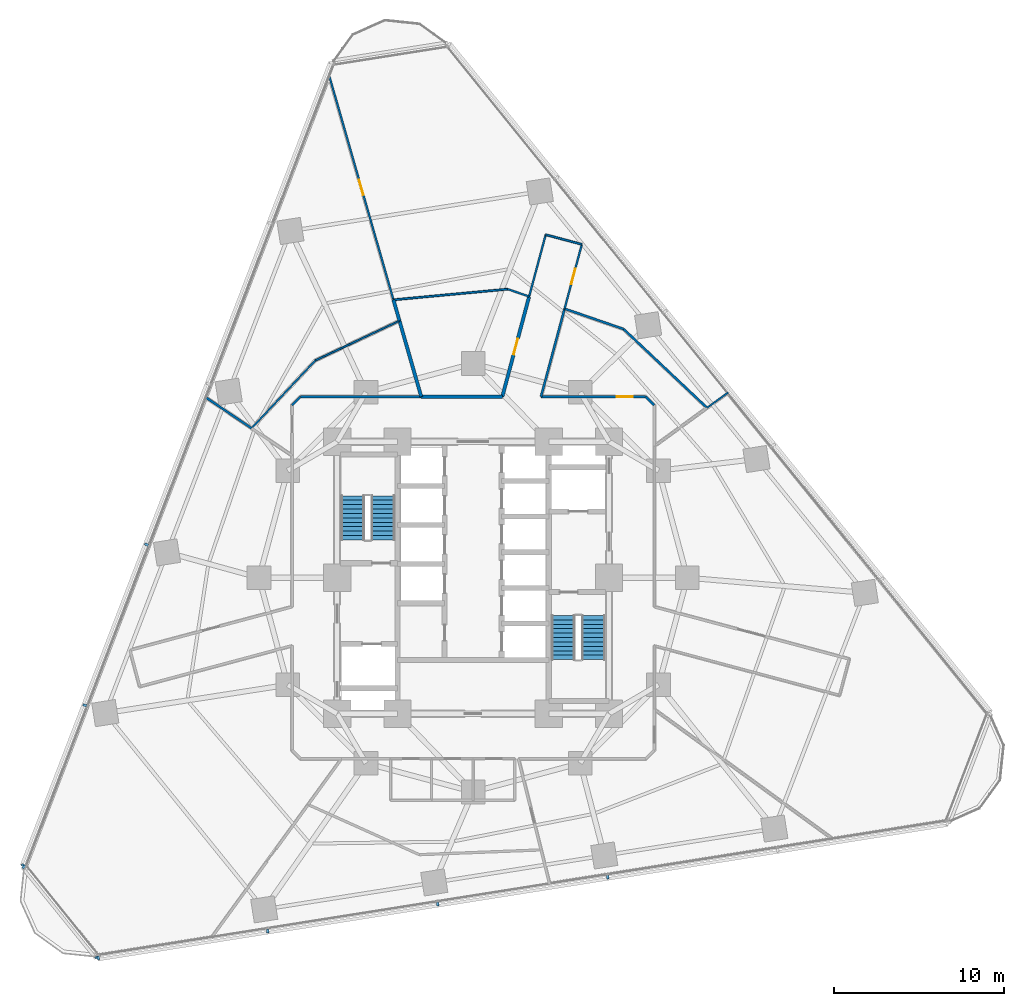
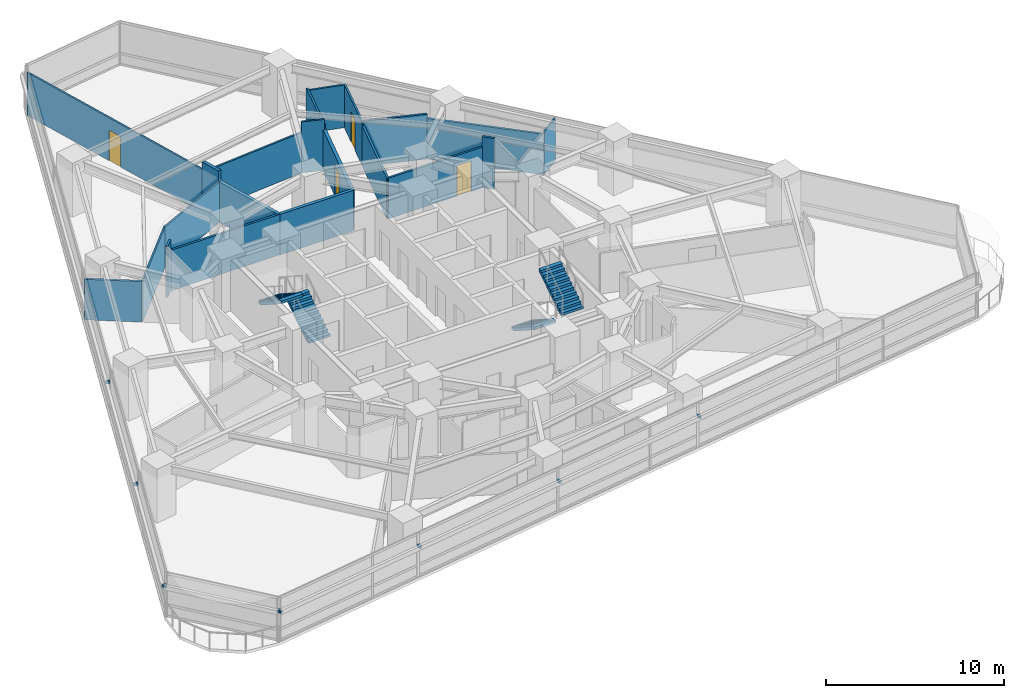
# One storey, part 9 of 13: 21 walls, 9 discrete accessories, 4 doors, 4 stair flights, 4 openings, 2 elements without a shape of their own.
"""IFC4 building model written with IfcOpenShell, lengths in metres."""

from ifc_helpers import new_model, si_unit, direction, frame, frame_2d, origin, origin_2d, place, context, subcontext, project, spatial, polyline, rectangle, outline, extrude, material, layer, layer_set, type_object, element, fill, aggregate, save


model = new_model("IFC4")

# Units and contexts
model_context = context("Model", 3, precision=1e-05, world=origin(), true_north=direction((0.0, 1.0)))
body_context = subcontext(model_context, "Body", "Model", "MODEL_VIEW")
ifc_project = project(units=[si_unit("LENGTHUNIT", "METRE"), si_unit("AREAUNIT", "SQUARE_METRE"), si_unit("VOLUMEUNIT", "CUBIC_METRE"), si_unit("PLANEANGLEUNIT", "RADIAN"), si_unit("MASSUNIT", "GRAM", prefix="KILO")], contexts=[model_context])

# Site, building, storey
site_placement = place(None, origin())
site = spatial("IfcSite", under=ifc_project, at=site_placement, CompositionType="ELEMENT")
building_placement = place(site_placement, origin())
building = spatial("IfcBuilding", under=site, at=building_placement, Name="Terralouvre Media Tower", CompositionType="ELEMENT")
storey_placement = place(building_placement, frame((0.0, 0.0, 55.60009765625)))
storey = spatial("IfcBuildingStorey", under=building, at=storey_placement, Name="L13", CompositionType="ELEMENT", Elevation=55.60009765625)

# Walls
ifc_material_1 = material(Name="Low-iron laminated double glazing with solar-control coating", Category="glass")
ifc_layer_1 = layer(ifc_material_1, 0.10009765625, Name="Demountable Glazed Office Partition PT-GL100")
ifc_layer_set_1 = layer_set([ifc_layer_1], Name="Low-iron laminated double glazing with solar-control coating")
wall_type_1 = type_object("IfcWallType", Name="Demountable Glazed Office Partition PT-GL100", PredefinedType="MOVABLE", material=ifc_layer_set_1)
wall_1_placement = place(storey_placement, frame((15.00244140625, 10.899658203125, 0.0), z_axis=(0.0, 0.0, 1.0), x_axis=(-0.809128115206, -0.587632277179, 0.0)))
element("IfcWall", 1, at=wall_1_placement, inside=storey, type_object=wall_type_1, Name="L13 Interior Partition 033", PredefinedType="MOVABLE", context=body_context, shape_type="SweptSolid", body=[
    extrude(rectangle(XDim=1.534423828125, YDim=0.10009765625, at=frame_2d((0.76708984375, 0.0))), origin(), (0.0, 0.0, 1.0), 2.934814453125),
])
wall_2_placement = place(storey_placement, frame((-13.0380859375, 8.794921875, 0.0), z_axis=(0.0, 0.0, 1.0), x_axis=(0.685214439986, 0.728341383716, 0.0)))
element("IfcWall", 2, at=wall_2_placement, inside=storey, type_object=wall_type_1, Name="L13 Interior Partition 057", PredefinedType="MOVABLE", context=body_context, shape_type="SweptSolid", body=[
    extrude(rectangle(XDim=5.47412109375, YDim=0.10009765625, at=frame_2d((2.737060546875, 0.0))), origin(), (0.0, 0.0, 1.0), 2.784912109375),
])
wall_3_placement = place(storey_placement, frame((-9.287109375, 12.781982421875, 0.0), z_axis=(0.0, 0.0, 1.0), x_axis=(0.904430294069, 0.4266214284, 0.0)))
element("IfcWall", 3, at=wall_3_placement, inside=storey, type_object=wall_type_1, Name="L13 Interior Partition 058", PredefinedType="MOVABLE", context=body_context, shape_type="SweptSolid", body=[
    extrude(rectangle(XDim=5.475341796875, YDim=0.10009765625, at=frame_2d((2.73779296875, 0.0))), origin(), (0.0, 0.0, 1.0), 2.784912109375),
])

# Wall, opening, door
ifc_material_2 = material(Name="Fire-rated gypsum board drywall partition")
ifc_layer_2 = layer(ifc_material_2, 0.199951171875, Name="Fire-Rated Shaft and Lobby Partition FW-200")
ifc_layer_set_2 = layer_set([ifc_layer_2], Name="Fire-rated gypsum board drywall partition")
wall_type_2 = type_object("IfcWallType", Name="Fire-Rated Shaft and Lobby Partition FW-200", PredefinedType="SOLIDWALL", material=ifc_layer_set_2)
wall_4_placement = place(storey_placement, frame((3.2939453125, 16.544921875, 0.0), z_axis=(0.0, 0.0, 1.0), x_axis=(-0.258710756328, -0.965954835673, 0.0)))
wall_4 = element("IfcWall", 4, at=wall_4_placement, inside=storey, type_object=wall_type_2, Name="L13 Interior Partition 020", PredefinedType="SOLIDWALL", context=body_context, shape_type="SweptSolid", body=[
    extrude(rectangle(XDim=6.102783203125, YDim=0.199951171875, at=frame_2d((3.05126953125, 0.0))), origin(), (0.0, 0.0, 1.0), 2.784912109375),
])
opening_1_placement = place(wall_4_placement, frame((2.576416015625, 0.0, 0.0)))
opening_1 = element("IfcOpeningElement", 5, at=opening_1_placement, cuts=wall_4, Name="Opening FD-02-95X210", PredefinedType="OPENING", context=body_context, shape_type="SweptSolid", body=[
    extrude(rectangle(XDim=0.949951171875, YDim=2.10009765625, at=frame_2d((0.47509765625, 1.050048828125))), frame((0.0, 0.10986328125, 0.0), z_axis=(0.0, -1.0, 0.0), x_axis=(1.0, 0.0, 0.0)), (0.0, 0.0, 1.0), 0.219970703125),
])
ifc_material_3 = material(Name="Galvanised steel fire-resisting leaf", Category="steel")
door_type_1 = type_object("IfcDoorType", Name="Plant and Riser Fire Door FD-02 (950x2100)", OperationType="NOTDEFINED", PredefinedType="DOOR", material=ifc_material_3)
door_1_placement = place(opening_1_placement, origin())
door_1 = element("IfcDoor", 6, at=door_1_placement, inside=storey, type_object=door_type_1, Name="L13 Render Cluster Server Room 5 Door", OperationType="SINGLE_SWING_RIGHT", OverallHeight=2.10009765625, OverallWidth=0.949951171875, PredefinedType="DOOR", context=body_context, shape_type="SweptSolid", body=[
    extrude(rectangle(XDim=0.949951171875, YDim=2.10009765625, at=frame_2d((0.47509765625, 1.050048828125))), frame((0.0, 0.02490234375, 0.0), z_axis=(0.0, -1.0, 0.0), x_axis=(1.0, 0.0, 0.0)), (0.0, 0.0, 1.0), 0.050048828125),
])
fill(opening_1, door_1)

# Walls
wall_5_placement = place(storey_placement, frame((1.715087890625, 10.64990234375, 0.0), z_axis=(0.0, 0.0, 1.0), x_axis=(-1.0, 0.0, 0.0)))
element("IfcWall", 7, at=wall_5_placement, inside=storey, type_object=wall_type_2, Name="L13 Interior Partition 021", PredefinedType="SOLIDWALL", context=body_context, shape_type="SweptSolid", body=[
    extrude(rectangle(XDim=4.76904296875, YDim=0.199951171875, at=frame_2d((2.384521484375, 0.0))), origin(), (0.0, 0.0, 1.0), 2.784912109375),
])
wall_6_placement = place(storey_placement, frame((-4.68896484375, 16.35107421875, 0.0), z_axis=(0.0, 0.0, 1.0), x_axis=(0.275927308223, -0.961178506094, 0.0)))
element("IfcWall", 8, at=wall_6_placement, inside=storey, type_object=wall_type_2, Name="L13 Interior Partition 044", PredefinedType="SOLIDWALL", context=body_context, shape_type="SweptSolid", body=[
    extrude(rectangle(XDim=1.282958984375, YDim=0.199951171875, at=frame_2d((0.6416015625, 0.0))), origin(), (0.0, 0.0, 1.0), 3.5),
])
wall_7_placement = place(storey_placement, frame((-4.3349609375, 15.117919921875, 0.0), z_axis=(0.0, 0.0, 1.0), x_axis=(0.275602055924, -0.961271817318, 0.0)))
element("IfcWall", 9, at=wall_7_placement, inside=storey, type_object=wall_type_2, Name="L13 Interior Partition 045", PredefinedType="SOLIDWALL", context=body_context, shape_type="SweptSolid", body=[
    extrude(rectangle(XDim=4.64794921875, YDim=0.199951171875, at=frame_2d((2.323974609375, 0.0))), origin(), (0.0, 0.0, 1.0), 2.784912109375),
])
ifc_material_4 = material(Name="Fire-rated gypsum board drywall partition")
ifc_layer_3 = layer(ifc_material_4, 0.135009765625, Name="Newsroom Acoustic Partition PT-135")
ifc_layer_set_3 = layer_set([ifc_layer_3], Name="Fire-rated gypsum board drywall partition")
wall_type_3 = type_object("IfcWallType", Name="Newsroom Acoustic Partition PT-135", PredefinedType="PARTITIONING", material=ifc_layer_set_3)
wall_8_placement = place(storey_placement, frame((10.64990234375, 10.14990234375, 0.0), z_axis=(0.0, 0.0, 1.0), x_axis=(-0.707106781187, 0.707106781187, 0.0)))
element("IfcWall", 10, at=wall_8_placement, inside=storey, type_object=wall_type_3, Name="L13 Interior Partition 014", PredefinedType="PARTITIONING", context=body_context, shape_type="SweptSolid", body=[
    extrude(rectangle(XDim=0.70703125, YDim=0.135009765625, at=frame_2d((0.353515625, 0.0))), origin(), (0.0, 0.0, 1.0), 3.5),
])

# Wall, opening, door
wall_9_placement = place(storey_placement, frame((10.14990234375, 10.64990234375, 0.0), z_axis=(0.0, 0.0, 1.0), x_axis=(-1.0, 0.0, 0.0)))
wall_9 = element("IfcWall", 11, at=wall_9_placement, inside=storey, type_object=wall_type_3, Name="L13 Interior Partition 015", PredefinedType="PARTITIONING", context=body_context, shape_type="SweptSolid", body=[
    extrude(rectangle(XDim=6.157958984375, YDim=0.135009765625, at=frame_2d((3.0791015625, 0.0))), origin(), (0.0, 0.0, 1.0), 2.784912109375),
])
opening_2_placement = place(wall_9_placement, frame((0.756591796875, 0.0, 0.0)))
opening_2 = element("IfcOpeningElement", 12, at=opening_2_placement, cuts=wall_9, Name="Opening ID-02-95X210", PredefinedType="OPENING", context=body_context, shape_type="SweptSolid", body=[
    extrude(rectangle(XDim=0.949951171875, YDim=2.10009765625, at=frame_2d((0.47509765625, 1.050048828125))), frame((0.0, 0.077392578125, 0.0), z_axis=(0.0, -1.0, 0.0), x_axis=(1.0, 0.0, 0.0)), (0.0, 0.0, 1.0), 0.155029296875),
])
ifc_material_5 = material(Name="Engineered hardwood acoustic timber leaf", Category="wood")
door_type_2 = type_object("IfcDoorType", Name="Office and Meeting Room Door ID-02 (950x2100)", OperationType="NOTDEFINED", PredefinedType="DOOR", material=ifc_material_5)
door_2_placement = place(opening_2_placement, origin())
door_2 = element("IfcDoor", 13, at=door_2_placement, inside=storey, type_object=door_type_2, Name="L13 Staff Quiet Reading Club 3 Door", OperationType="SINGLE_SWING_RIGHT", OverallHeight=2.10009765625, OverallWidth=0.949951171875, PredefinedType="DOOR", context=body_context, shape_type="SweptSolid", body=[
    extrude(rectangle(XDim=0.949951171875, YDim=2.10009765625, at=frame_2d((0.47509765625, 1.050048828125))), frame((0.0, 0.02490234375, 0.0), z_axis=(0.0, -1.0, 0.0), x_axis=(1.0, 0.0, 0.0)), (0.0, 0.0, 1.0), 0.050048828125),
])
fill(opening_2, door_2)

# Walls
wall_10_placement = place(storey_placement, frame((3.991943359375, 10.64990234375, 0.0), z_axis=(0.0, 0.0, 1.0), x_axis=(0.258952377387, 0.965890090148, 0.0)))
element("IfcWall", 14, at=wall_10_placement, inside=storey, type_object=wall_type_3, Name="L13 Interior Partition 016", PredefinedType="PARTITIONING", context=body_context, shape_type="SweptSolid", body=[
    extrude(rectangle(XDim=5.35986328125, YDim=0.135009765625, at=frame_2d((2.679931640625, 0.0))), origin(), (0.0, 0.0, 1.0), 2.784912109375),
])
wall_11_placement = place(storey_placement, frame((-3.053955078125, 10.64990234375, 0.0), z_axis=(0.0, 0.0, 1.0), x_axis=(-1.0, 0.0, 0.0)))
element("IfcWall", 15, at=wall_11_placement, inside=storey, type_object=wall_type_3, Name="L13 Interior Partition 029", PredefinedType="PARTITIONING", context=body_context, shape_type="SweptSolid", body=[
    extrude(rectangle(XDim=7.095947265625, YDim=0.135009765625, at=frame_2d((3.5478515625, 0.0))), origin(), (0.0, 0.0, 1.0), 2.784912109375),
])
wall_12_placement = place(storey_placement, frame((-10.14990234375, 10.64990234375, 0.0), z_axis=(0.0, 0.0, 1.0), x_axis=(-0.707106781187, -0.707106781187, 0.0)))
element("IfcWall", 16, at=wall_12_placement, inside=storey, type_object=wall_type_3, Name="L13 Interior Partition 030", PredefinedType="PARTITIONING", context=body_context, shape_type="SweptSolid", body=[
    extrude(rectangle(XDim=0.70703125, YDim=0.135009765625, at=frame_2d((0.353515625, 0.0))), origin(), (0.0, 0.0, 1.0), 3.5),
])
wall_13_placement = place(storey_placement, frame((-13.0380859375, 8.794921875, 0.0), z_axis=(0.0, 0.0, 1.0), x_axis=(-0.829071326064, 0.559142858578, 0.0)))
element("IfcWall", 17, at=wall_13_placement, inside=storey, type_object=wall_type_3, Name="L13 Interior Partition 037", PredefinedType="PARTITIONING", context=body_context, shape_type="SweptSolid", body=[
    extrude(rectangle(XDim=3.278564453125, YDim=0.135009765625, at=frame_2d((1.63916015625, 0.0))), origin(), (0.0, 0.0, 1.0), 2.784912109375),
])
wall_14_placement = place(storey_placement, frame((13.760986328125, 9.998046875, 0.0), z_axis=(0.0, 0.0, 1.0), x_axis=(-0.727310898058, 0.68630813602, 0.0)))
element("IfcWall", 18, at=wall_14_placement, inside=storey, type_object=wall_type_3, Name="L13 Interior Partition 039", PredefinedType="PARTITIONING", context=body_context, shape_type="SweptSolid", body=[
    extrude(rectangle(XDim=6.752197265625, YDim=0.135009765625, at=frame_2d((3.3759765625, 0.0))), origin(), (0.0, 0.0, 1.0), 2.784912109375),
])
wall_15_placement = place(storey_placement, frame((8.85009765625, 14.632080078125, 0.0), z_axis=(0.0, 0.0, 1.0), x_axis=(-0.945524159467, 0.325551937275, 0.0)))
element("IfcWall", 19, at=wall_15_placement, inside=storey, type_object=wall_type_3, Name="L13 Interior Partition 040", PredefinedType="PARTITIONING", context=body_context, shape_type="SweptSolid", body=[
    extrude(rectangle(XDim=3.670166015625, YDim=0.135009765625, at=frame_2d((1.8349609375, 0.0))), origin(), (0.0, 0.0, 1.0), 3.0849609375),
])

# Wall, opening, door
ifc_material_6 = material(Name="Fire-rated gypsum board drywall partition")
ifc_layer_4 = layer(ifc_material_6, 0.114990234375, Name="Restroom and Pantry Partition PT-115")
ifc_layer_set_4 = layer_set([ifc_layer_4], Name="Fire-rated gypsum board drywall partition")
wall_type_4 = type_object("IfcWallType", Name="Restroom and Pantry Partition PT-115", PredefinedType="PARTITIONING", material=ifc_layer_set_4)
wall_16_placement = place(storey_placement, frame((5.3798828125, 15.826904296875, 0.0), z_axis=(0.0, 0.0, 1.0), x_axis=(0.258740236453, 0.965946939557, 0.0)))
wall_16 = element("IfcWall", 20, at=wall_16_placement, inside=storey, type_object=wall_type_4, Name="L13 Interior Partition 017", PredefinedType="PARTITIONING", context=body_context, shape_type="SweptSolid", body=[
    extrude(rectangle(XDim=3.919677734375, YDim=0.114990234375, at=frame_2d((1.9599609375, 0.0))), origin(), (0.0, 0.0, 1.0), 2.934814453125),
])
opening_3_placement = place(wall_16_placement, frame((1.484619140625, 0.0, 0.0)))
opening_3 = element("IfcOpeningElement", 21, at=opening_3_placement, cuts=wall_16, Name="Opening SD-01-95X210", PredefinedType="OPENING", context=body_context, shape_type="SweptSolid", body=[
    extrude(rectangle(XDim=0.949951171875, YDim=2.10009765625, at=frame_2d((0.47509765625, 1.050048828125))), frame((0.0, 0.0673828125, 0.0), z_axis=(0.0, -1.0, 0.0), x_axis=(1.0, 0.0, 0.0)), (0.0, 0.0, 1.0), 0.135009765625),
])
ifc_material_7 = material(Name="Anodised extruded aluminium 6063-T6", Category="aluminium")
door_type_3 = type_object("IfcDoorType", Name="Pantry Pocket Sliding Door SD-01 (950x2100)", OperationType="SLIDING_TO_LEFT", PredefinedType="DOOR", material=ifc_material_7)
door_3_placement = place(opening_3_placement, origin())
door_3 = element("IfcDoor", 22, at=door_3_placement, inside=storey, type_object=door_type_3, Name="L13 Barista Coffee Tea Pantry 4 Door", OperationType="SLIDING_TO_LEFT", OverallHeight=2.10009765625, OverallWidth=0.949951171875, PredefinedType="DOOR", context=body_context, shape_type="SweptSolid", body=[
    extrude(rectangle(XDim=0.949951171875, YDim=2.10009765625, at=frame_2d((0.47509765625, 1.050048828125))), frame((0.0, 0.02490234375, 0.0), z_axis=(0.0, -1.0, 0.0), x_axis=(1.0, 0.0, 0.0)), (0.0, 0.0, 1.0), 0.050048828125),
])
fill(opening_3, door_3)

# Walls
wall_17_placement = place(storey_placement, frame((6.39404296875, 19.613037109375, 0.0), z_axis=(0.0, 0.0, 1.0), x_axis=(-0.965848933329, 0.259105843213, 0.0)))
element("IfcWall", 23, at=wall_17_placement, inside=storey, type_object=wall_type_4, Name="L13 Interior Partition 018", PredefinedType="PARTITIONING", context=body_context, shape_type="SweptSolid", body=[
    extrude(rectangle(XDim=2.2001953125, YDim=0.114990234375, at=frame_2d((1.10009765625, 0.0))), origin(), (0.0, 0.0, 1.0), 2.934814453125),
])
wall_18_placement = place(storey_placement, frame((4.26904296875, 20.18310546875, 0.0), z_axis=(0.0, 0.0, 1.0), x_axis=(-0.258880798168, -0.965909277489, 0.0)))
element("IfcWall", 24, at=wall_18_placement, inside=storey, type_object=wall_type_4, Name="L13 Interior Partition 019", PredefinedType="PARTITIONING", context=body_context, shape_type="SweptSolid", body=[
    extrude(rectangle(XDim=3.7666015625, YDim=0.114990234375, at=frame_2d((1.88330078125, 0.0))), origin(), (0.0, 0.0, 1.0), 3.0849609375),
])
wall_19_placement = place(storey_placement, frame((-4.68896484375, 16.35107421875, 0.0), z_axis=(0.0, 0.0, 1.0), x_axis=(0.995667654368, 0.092983450384, 0.0)))
element("IfcWall", 25, at=wall_19_placement, inside=storey, type_object=wall_type_4, Name="L13 Interior Partition 041", PredefinedType="PARTITIONING", context=body_context, shape_type="SweptSolid", body=[
    extrude(rectangle(XDim=6.753173828125, YDim=0.114990234375, at=frame_2d((3.37646484375, 0.0))), origin(), (0.0, 0.0, 1.0), 2.784912109375),
])
wall_20_placement = place(storey_placement, frame((2.034912109375, 16.97900390625, 0.0), z_axis=(0.0, 0.0, 1.0), x_axis=(0.945388565789, -0.325945485742, 0.0)))
element("IfcWall", 26, at=wall_20_placement, inside=storey, type_object=wall_type_4, Name="L13 Interior Partition 042", PredefinedType="PARTITIONING", context=body_context, shape_type="SweptSolid", body=[
    extrude(rectangle(XDim=1.331787109375, YDim=0.114990234375, at=frame_2d((0.666015625, 0.0))), origin(), (0.0, 0.0, 1.0), 3.5),
])

# Wall, opening, door
wall_21_placement = place(storey_placement, frame((-8.4814453125, 29.57958984375, 0.0), z_axis=(0.0, 0.0, 1.0), x_axis=(0.275587979828, -0.961275852903, 0.0)))
wall_21 = element("IfcWall", 27, at=wall_21_placement, inside=storey, type_object=wall_type_4, Name="L13 Interior Partition 043", PredefinedType="PARTITIONING", context=body_context, shape_type="SweptSolid", body=[
    extrude(rectangle(XDim=13.761474609375, YDim=0.114990234375, at=frame_2d((6.880859375, 0.0))), origin(), (0.0, 0.0, 1.0), 2.934814453125),
])
opening_4_placement = place(wall_21_placement, frame((6.420654296875, 0.0, 0.0)))
opening_4 = element("IfcOpeningElement", 28, at=opening_4_placement, cuts=wall_21, Name="Opening ID-03-92X210", PredefinedType="OPENING", context=body_context, shape_type="SweptSolid", body=[
    extrude(rectangle(XDim=0.919921875, YDim=2.10009765625, at=frame_2d((0.4599609375, 1.050048828125))), frame((0.0, 0.0673828125, 0.0), z_axis=(0.0, -1.0, 0.0), x_axis=(1.0, 0.0, 0.0)), (0.0, 0.0, 1.0), 0.135009765625),
])
ifc_material_8 = material(Name="Engineered hardwood acoustic timber leaf", Category="wood")
door_type_4 = type_object("IfcDoorType", Name="Accessible Restroom and Suite Door ID-03 (920x2100)", OperationType="NOTDEFINED", PredefinedType="DOOR", material=ifc_material_8)
door_4_placement = place(opening_4_placement, origin())
door_4 = element("IfcDoor", 29, at=door_4_placement, inside=storey, type_object=door_type_4, Name="L13 Product Roadmap Huddle Room 9 Door", OperationType="SINGLE_SWING_RIGHT", OverallHeight=2.10009765625, OverallWidth=0.919921875, PredefinedType="DOOR", context=body_context, shape_type="SweptSolid", body=[
    extrude(rectangle(XDim=0.919921875, YDim=2.10009765625, at=frame_2d((0.4599609375, 1.050048828125))), frame((0.0, 0.02490234375, 0.0), z_axis=(0.0, -1.0, 0.0), x_axis=(1.0, 0.0, 0.0)), (0.0, 0.0, 1.0), 0.050048828125),
])
fill(opening_4, door_4)

# Stair, stair flights
ifc_material_9 = material(Name="Concrete C45/55", Category="concrete")
stair_type_1 = type_object("IfcStairType", Name="Dogleg Stair Assembly ST-01", PredefinedType="HALF_TURN_STAIR", material=ifc_material_9)
stair_1_placement = place(storey_placement, origin())
stair_1 = element("IfcStair", 30, at=stair_1_placement, inside=storey, type_object=stair_type_1, Name="L13 Core Pressurised Exit Stair ST-01", PredefinedType="HALF_TURN_STAIR")
ifc_material_10 = material(Name="Concrete C45/55", Category="concrete")
stair_flight_type = type_object("IfcStairFlightType", Name="Reinforced Concrete Stair Flight SF-RC1", PredefinedType="STRAIGHT", material=ifc_material_10)
stair_flight_1_placement = place(storey_placement, frame((-5.300048828125, 2.219970703125, 0.0), z_axis=(0.0, 0.0, 1.0), x_axis=(0.0, 1.0, 0.0)))
stair_flight_1 = element("IfcStairFlight", 31, at=stair_flight_1_placement, type_object=stair_flight_type, Name="ST-01 flight 1", NumberOfRisers=11, NumberOfTreads=10, PredefinedType="STRAIGHT", RiserHeight=0.168181818, TreadLength=0.26, context=body_context, shape_type="SweptSolid", body=[
    extrude(outline(polyline([(0.0, 0.0), (0.0, 0.168212890625), (0.260009765625, 0.168212890625), (0.260009765625, 0.33642578125), (0.52001953125, 0.33642578125), (0.52001953125, 0.504638671875), (0.780029296875, 0.504638671875), (0.780029296875, 0.672607421875), (1.0400390625, 0.672607421875), (1.0400390625, 0.8408203125), (1.300048828125, 0.8408203125), (1.300048828125, 1.009033203125), (1.56005859375, 1.009033203125), (1.56005859375, 1.17724609375), (1.820068359375, 1.17724609375), (1.820068359375, 1.345458984375), (2.080078125, 1.345458984375), (2.080078125, 1.513671875), (2.340087890625, 1.513671875), (2.340087890625, 1.681884765625), (2.60009765625, 1.681884765625), (2.60009765625, 1.85009765625), (2.60009765625, 1.503173828125), (0.27587890625, 0.0), (0.0, 0.0)])), frame((0.0, 0.699951171875, 0.0), z_axis=(0.0, -1.0, 0.0), x_axis=(1.0, 0.0, 0.0)), (0.0, 0.0, 1.0), 1.39990234375),
])
stair_flight_2_placement = place(storey_placement, frame((-7.080078125, 4.820068359375, 1.849853515625), z_axis=(0.0, 0.0, 1.0), x_axis=(0.0, -1.0, 0.0)))
stair_flight_2 = element("IfcStairFlight", 32, at=stair_flight_2_placement, type_object=stair_flight_type, Name="ST-01 flight 2", NumberOfRisers=11, NumberOfTreads=10, PredefinedType="STRAIGHT", RiserHeight=0.168181818, TreadLength=0.26, context=body_context, shape_type="SweptSolid", body=[
    extrude(outline(polyline([(0.0, 0.0), (0.0, 0.168212890625), (0.260009765625, 0.168212890625), (0.260009765625, 0.33642578125), (0.52001953125, 0.33642578125), (0.52001953125, 0.504638671875), (0.780029296875, 0.504638671875), (0.780029296875, 0.672607421875), (1.0400390625, 0.672607421875), (1.0400390625, 0.8408203125), (1.300048828125, 0.8408203125), (1.300048828125, 1.009033203125), (1.56005859375, 1.009033203125), (1.56005859375, 1.17724609375), (1.820068359375, 1.17724609375), (1.820068359375, 1.345458984375), (2.080078125, 1.345458984375), (2.080078125, 1.513671875), (2.340087890625, 1.513671875), (2.340087890625, 1.681884765625), (2.60009765625, 1.681884765625), (2.60009765625, 1.85009765625), (2.60009765625, 1.503173828125), (0.27587890625, 0.0), (0.0, 0.0)])), frame((0.0, 0.699951171875, 0.0), z_axis=(0.0, -1.0, 0.0), x_axis=(1.0, 0.0, 0.0)), (0.0, 0.0, 1.0), 1.39990234375),
])
aggregate(stair_1, [stair_flight_1, stair_flight_2])

ifc_material_11 = material(Name="Concrete C45/55", Category="concrete")
stair_type_2 = type_object("IfcStairType", Name="Dogleg Stair Assembly ST-02", PredefinedType="HALF_TURN_STAIR", material=ifc_material_11)
stair_2_placement = place(storey_placement, origin())
stair_2 = element("IfcStair", 33, at=stair_2_placement, inside=storey, type_object=stair_type_2, Name="L13 Core Pressurised Exit Stair ST-02", PredefinedType="HALF_TURN_STAIR")
stair_flight_3_placement = place(storey_placement, frame((5.300048828125, -2.219970703125, 0.0), z_axis=(0.0, 0.0, 1.0), x_axis=(0.0, -1.0, 0.0)))
stair_flight_3 = element("IfcStairFlight", 34, at=stair_flight_3_placement, type_object=stair_flight_type, Name="ST-02 flight 1", NumberOfRisers=11, NumberOfTreads=10, PredefinedType="STRAIGHT", RiserHeight=0.168181818, TreadLength=0.26, context=body_context, shape_type="SweptSolid", body=[
    extrude(outline(polyline([(0.0, 0.0), (0.0, 0.168212890625), (0.260009765625, 0.168212890625), (0.260009765625, 0.33642578125), (0.52001953125, 0.33642578125), (0.52001953125, 0.504638671875), (0.780029296875, 0.504638671875), (0.780029296875, 0.672607421875), (1.0400390625, 0.672607421875), (1.0400390625, 0.8408203125), (1.300048828125, 0.8408203125), (1.300048828125, 1.009033203125), (1.56005859375, 1.009033203125), (1.56005859375, 1.17724609375), (1.820068359375, 1.17724609375), (1.820068359375, 1.345458984375), (2.080078125, 1.345458984375), (2.080078125, 1.513671875), (2.340087890625, 1.513671875), (2.340087890625, 1.681884765625), (2.60009765625, 1.681884765625), (2.60009765625, 1.85009765625), (2.60009765625, 1.503173828125), (0.27587890625, 0.0), (0.0, 0.0)])), frame((0.0, 0.699951171875, 0.0), z_axis=(0.0, -1.0, 0.0), x_axis=(1.0, 0.0, 0.0)), (0.0, 0.0, 1.0), 1.39990234375),
])
stair_flight_4_placement = place(storey_placement, frame((7.080078125, -4.820068359375, 1.849853515625), z_axis=(0.0, 0.0, 1.0), x_axis=(0.0, 1.0, 0.0)))
stair_flight_4 = element("IfcStairFlight", 35, at=stair_flight_4_placement, type_object=stair_flight_type, Name="ST-02 flight 2", NumberOfRisers=11, NumberOfTreads=10, PredefinedType="STRAIGHT", RiserHeight=0.168181818, TreadLength=0.26, context=body_context, shape_type="SweptSolid", body=[
    extrude(outline(polyline([(0.0, 0.0), (0.0, 0.168212890625), (0.260009765625, 0.168212890625), (0.260009765625, 0.33642578125), (0.52001953125, 0.33642578125), (0.52001953125, 0.504638671875), (0.780029296875, 0.504638671875), (0.780029296875, 0.672607421875), (1.0400390625, 0.672607421875), (1.0400390625, 0.8408203125), (1.300048828125, 0.8408203125), (1.300048828125, 1.009033203125), (1.56005859375, 1.009033203125), (1.56005859375, 1.17724609375), (1.820068359375, 1.17724609375), (1.820068359375, 1.345458984375), (2.080078125, 1.345458984375), (2.080078125, 1.513671875), (2.340087890625, 1.513671875), (2.340087890625, 1.681884765625), (2.60009765625, 1.681884765625), (2.60009765625, 1.85009765625), (2.60009765625, 1.503173828125), (0.27587890625, 0.0), (0.0, 0.0)])), frame((0.0, 0.699951171875, 0.0), z_axis=(0.0, -1.0, 0.0), x_axis=(1.0, 0.0, 0.0)), (0.0, 0.0, 1.0), 1.39990234375),
])
aggregate(stair_2, [stair_flight_3, stair_flight_4])

# Discrete accessories
ifc_material_12 = material(Name="Anodised extruded aluminium 6063-T6", Category="aluminium")
discrete_accessory_type = type_object("IfcDiscreteAccessoryType", Name="Mullion Stand-Off Baguette Fixing Bracket BK-01", PredefinedType="BRACKET", material=ifc_material_12)
for number, where, z_axis, x_axis, name in (
    (36, (-22.055419921875, -22.364013671875, 2.07373046875), (0.0, 0.0, 1.0), (0.987688340934, 0.156434462903, 0.0), "CW-L13-F0 Baguette Outrigger Bracket 1.01"),
    (37, (-12.08935546875, -20.78564453125, 2.07373046875), (0.0, 0.0, 1.0), (0.987688340934, 0.156434462903, 0.0), "CW-L13-F0 Baguette Outrigger Bracket 1.02"),
    (38, (-2.0859375, -19.201171875, 2.07373046875), (0.0, 0.0, 1.0), (0.987688340934, 0.156434462903, 0.0), "CW-L13-F0 Baguette Outrigger Bracket 1.03"),
    (39, (7.91748046875, -17.616943359375, 2.07373046875), (0.0, 0.0, 1.0), (0.987688340934, 0.156434462903, 0.0), "CW-L13-F0 Baguette Outrigger Bracket 1.04"),
    (40, (-19.21533203125, 1.951904296875, 2.07373046875), (0.0, 0.0, 1.0), (-0.358367917006, -0.933580438988, 0.0), "CW-L13-F2 Baguette Outrigger Bracket 1.04"),
    (41, (-22.844970703125, -7.50341796875, 2.07373046875), (0.0, 0.0, 1.0), (-0.358367917006, -0.933580438988, 0.0), "CW-L13-F2 Baguette Outrigger Bracket 1.05"),
    (42, (-26.4609375, -16.923828125, 2.07373046875), (0.0, 0.0, 1.0), (-0.358367917006, -0.933580438988, 0.0), "CW-L13-F2 Baguette Outrigger Bracket 1.06"),
    (43, (-26.428955078125, -17.014892578125, 2.07373046875), (0.0, 0.0, 1.0), (0.629320031936, -0.777146252262, 0.0), "CW-L13-C0 Baguette Outrigger Bracket 1.01"),
    (44, (-22.137939453125, -22.31396484375, 2.07373046875), (0.0, 0.0, 1.0), (0.629320031936, -0.777146252262, 0.0), "CW-L13-C0 Baguette Outrigger Bracket 1.02"),
):
    element("IfcDiscreteAccessory", number, at=place(storey_placement, frame(where, z_axis=z_axis, x_axis=x_axis)), inside=storey, type_object=discrete_accessory_type, Name=name, PredefinedType="BRACKET", context=body_context, shape_type="SweptSolid", body=[
        extrude(rectangle(XDim=0.139892578125, YDim=0.239990234375, at=origin_2d()), origin(), (0.0, 0.0, 1.0), 0.179931640625),
    ])

save(model, "model.ifc")
